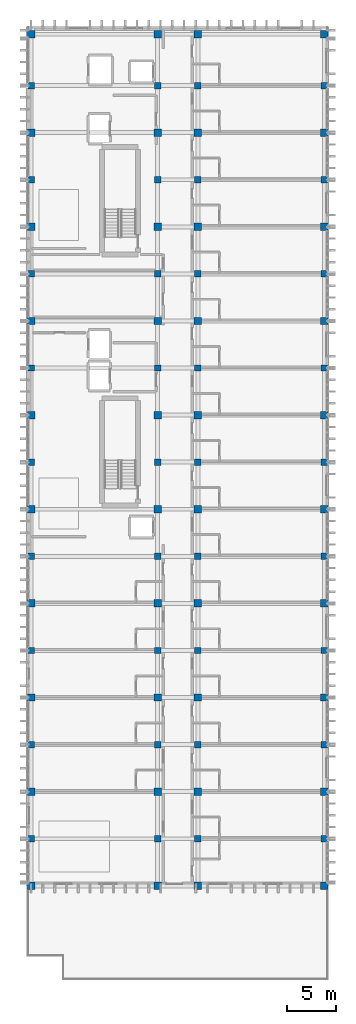
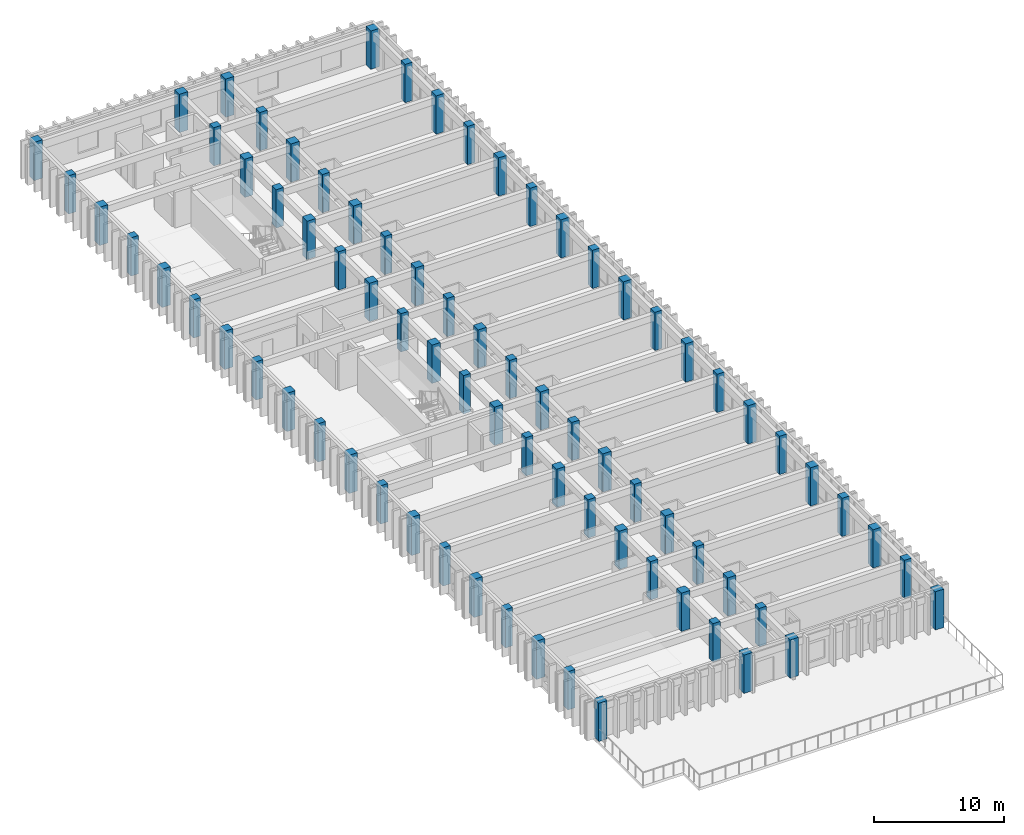
# One storey, part 1 of 64: 76 columns.
"""IFC4 building model written with IfcOpenShell, lengths in metres."""

import ifcopenshell
import ifcopenshell.guid

model = None  # the IFC model being written
_history = None  # IfcOwnerHistory: only IFC2X3 demands one
_inside = {}  # id of a spatial element -> (the spatial element, [elements in it])
_under = {}  # id of a project, library or spatial element -> (it, [spatial elements below it])
_declared = {}  # id of a project -> (the project, [libraries it declares])
_typed = {}  # id of a type object -> (the type object, [elements of that type])
_made_of = {}  # id of a material, layer set ... -> (it, [elements and type objects made of it])


def new_model(schema):
    """Start an empty IFC model of exactly this schema.

    Asked for "IFC4X3", IfcOpenShell would pick the latest addendum, in which some entities
    have other attributes; the version numbers below select the first issue.
    IFC2X3 requires an IfcOwnerHistory on every rooted entity: one is made here for all.
    """
    global model, _history
    if schema == "IFC4X3":
        model = ifcopenshell.file(schema_version=(4, 3, 0, 0))
    else:
        model = ifcopenshell.file(schema=schema)
    _inside.clear()
    _under.clear()
    _declared.clear()
    _typed.clear()
    _made_of.clear()
    _history = None
    if model.schema == "IFC2X3":
        org = make("IfcOrganization", Name="unknown")
        user = make(
            "IfcPersonAndOrganization",
            ThePerson=make("IfcPerson", FamilyName="unknown"),
            TheOrganization=org,
        )
        app = make(
            "IfcApplication",
            ApplicationDeveloper=org,
            Version="unknown",
            ApplicationFullName="unknown",
            ApplicationIdentifier="unknown",
        )
        _history = make(
            "IfcOwnerHistory",
            OwningUser=user,
            OwningApplication=app,
            ChangeAction="ADDED",
            CreationDate=0,
        )
    return model


def make(cls, **values):
    """One entity of the class cls with the attributes given. An attribute that is None is left unset."""
    return model.create_entity(
        cls, **{name: value for name, value in values.items() if value is not None}
    )


def rooted(cls, **values):
    """An entity with a GlobalId (a new one), such as an element, a storey or a relation."""
    return make(cls, GlobalId=ifcopenshell.guid.new(), OwnerHistory=_history, **values)


def si_unit(unit_type, name, prefix=None):
    """IfcSIUnit, for example si_unit("LENGTHUNIT", "METRE", prefix="MILLI")."""
    return make("IfcSIUnit", UnitType=unit_type, Prefix=prefix, Name=name)


def assignment(units):
    """IfcUnitAssignment: the units of a project."""
    return None if units is None else make("IfcUnitAssignment", Units=units)


def point(xyz):
    """IfcCartesianPoint."""
    return None if xyz is None else make("IfcCartesianPoint", Coordinates=xyz)


def direction(xyz):
    """IfcDirection."""
    return None if xyz is None else make("IfcDirection", DirectionRatios=xyz)


def frame(location, z_axis=None, x_axis=None):
    """IfcAxis2Placement3D, a coordinate frame: its origin and axes. An axis left out is left unset."""
    return make(
        "IfcAxis2Placement3D",
        Location=point(location),
        Axis=direction(z_axis),
        RefDirection=direction(x_axis),
    )


def frame_2d(location, x_axis=None):
    """IfcAxis2Placement2D, a coordinate frame in the plane: its origin and x axis."""
    return make(
        "IfcAxis2Placement2D", Location=point(location), RefDirection=direction(x_axis)
    )


def origin():
    """The frame at (0, 0, 0) with its axes left unset."""
    return frame((0.0, 0.0, 0.0))


def origin_2d():
    """The frame at (0, 0) in the plane with its x axis left unset."""
    return frame_2d((0.0, 0.0))


def place(relative_to, where):
    """IfcLocalPlacement: puts the frame where relative to a parent placement (None: the world)."""
    return make(
        "IfcLocalPlacement", PlacementRelTo=relative_to, RelativePlacement=where
    )


def context(
    kind, dimensions, precision=None, world=None, true_north=None, identifier=None
):
    """IfcGeometricRepresentationContext, for example the 3D "Model" context."""
    return make(
        "IfcGeometricRepresentationContext",
        ContextIdentifier=identifier,
        ContextType=kind,
        CoordinateSpaceDimension=dimensions,
        Precision=precision,
        WorldCoordinateSystem=world,
        TrueNorth=true_north,
    )


def subcontext(parent, identifier, kind, view, scale=None):
    """IfcGeometricRepresentationSubContext, for example "Body" below "Model"."""
    return make(
        "IfcGeometricRepresentationSubContext",
        ContextIdentifier=identifier,
        ContextType=kind,
        ParentContext=parent,
        TargetScale=scale,
        TargetView=view,
    )


def project(units=None, contexts=None):
    """IfcProject with its units and contexts."""
    return rooted(
        "IfcProject",
        Name="project",
        RepresentationContexts=contexts,
        UnitsInContext=assignment(units),
    )


def spatial(cls, under=None, at=None, **own):
    """A site, building, storey or space (cls), placed at a placement, below another one or the project."""
    s = rooted(cls, ObjectPlacement=at, **own)
    if under is not None:
        _under.setdefault(under.id(), (under, []))[1].append(s)
    return s


def profile(cls, at=None, kind="AREA", **sizes):
    """A parametric profile (cls). Its sizes go by their IFC names, for example OverallWidth=200.0."""
    return make(cls, ProfileType=kind, Position=at, **sizes)


def rectangle(**sizes):
    """IfcRectangleProfileDef."""
    return profile("IfcRectangleProfileDef", **sizes)


def extrude(swept, where, along, depth):
    """IfcExtrudedAreaSolid: the profile swept, set in the frame where, extruded along a direction by depth."""
    return make(
        "IfcExtrudedAreaSolid",
        SweptArea=swept,
        Position=where,
        ExtrudedDirection=direction(along),
        Depth=depth,
    )


def shape(context_of_items, identifier, shape_type, items):
    """IfcShapeRepresentation: the items that make up one representation, for example the "Body"."""
    return make(
        "IfcShapeRepresentation",
        ContextOfItems=context_of_items,
        RepresentationIdentifier=identifier,
        RepresentationType=shape_type,
        Items=items,
    )


def material(Name=None, Category=None):
    """IfcMaterial."""
    return make("IfcMaterial", Name=Name, Category=Category)


def material_profile(
    of_material, cross_section, Name=None, Category=None, Priority=None
):
    """IfcMaterialProfile: a cross section and its material."""
    return make(
        "IfcMaterialProfile",
        Name=Name,
        Material=of_material,
        Profile=cross_section,
        Priority=Priority,
        Category=Category,
    )


def profile_set(profiles, Name=None, composite=None):
    """IfcMaterialProfileSet."""
    return make(
        "IfcMaterialProfileSet",
        Name=Name,
        MaterialProfiles=profiles,
        CompositeProfile=composite,
    )


def made_of(thing, what):
    """Note that an element or type object is made of a material, layer set ...; save() writes the relation."""
    if what is not None:
        _made_of.setdefault(what.id(), (what, []))[1].append(thing)
    return thing


def type_object(cls, material=None, **own):
    """A type object (cls), such as IfcWallType, which elements share."""
    return made_of(rooted(cls, **own), material)


def element(
    cls,
    number,
    at=None,
    inside=None,
    cuts=None,
    type_object=None,
    material=None,
    context=None,
    identifier="Body",
    shape_type=None,
    held_by="IfcProductDefinitionShape",
    body=None,
    shapes=None,
    **own,
):
    """One element of the class cls, such as IfcWall. Its Tag is "e" and its number.

    at: its placement. inside: the storey or other place that contains it. cuts: it is an
    opening in that element (IfcRelVoidsElement). A single representation is given by context,
    identifier, shape_type and body (its items); several are given by shapes. held_by: the class
    of the entity that holds the representations. save() writes the other relations.
    """
    e = rooted(cls, Tag="e%d" % number, ObjectPlacement=at, **own)
    if body is not None:
        shapes = [shape(context, identifier, shape_type, body)]
    if shapes is not None:
        e.Representation = make(held_by, Representations=shapes)
    if inside is not None:
        _inside.setdefault(inside.id(), (inside, []))[1].append(e)
    if cuts is not None:
        rooted(
            "IfcRelVoidsElement", RelatingBuildingElement=cuts, RelatedOpeningElement=e
        )
    if type_object is not None:
        _typed.setdefault(type_object.id(), (type_object, []))[1].append(e)
    return made_of(e, material)


def aggregate(whole, parts):
    """IfcRelAggregates: a whole, such as a stair, and the parts it consists of."""
    return rooted("IfcRelAggregates", RelatingObject=whole, RelatedObjects=parts)


def save(model, path):
    """Write the relations noted so far, then the file.

    IfcRelAggregates (storeys below a building ...), IfcRelContainedInSpatialStructure (elements
    in a storey), IfcRelDefinesByType, IfcRelAssociatesMaterial and IfcRelDeclares: one each for
    every whole, place, type object, material and project.
    """
    for whole, parts in _under.values():
        aggregate(whole, parts)
    for where, things in _inside.values():
        rooted(
            "IfcRelContainedInSpatialStructure",
            RelatedElements=things,
            RelatingStructure=where,
        )
    for kind, things in _typed.values():
        rooted("IfcRelDefinesByType", RelatedObjects=things, RelatingType=kind)
    for what, things in _made_of.values():
        rooted("IfcRelAssociatesMaterial", RelatedObjects=things, RelatingMaterial=what)
    for by, libraries in _declared.values():
        rooted("IfcRelDeclares", RelatingContext=by, RelatedDefinitions=libraries)
    model.write(path)


model = new_model("IFC4")

# Units and contexts
model_context = context("Model", 3, precision=1e-05, world=origin(), true_north=direction((0.0, 1.0)))
body_context = subcontext(model_context, "Body", "Model", "MODEL_VIEW")
ifc_project = project(units=[si_unit("LENGTHUNIT", "METRE"), si_unit("AREAUNIT", "SQUARE_METRE"), si_unit("VOLUMEUNIT", "CUBIC_METRE"), si_unit("PLANEANGLEUNIT", "RADIAN"), si_unit("MASSUNIT", "GRAM", prefix="KILO")], contexts=[model_context])

# Site, building, storey
site_placement = place(None, origin())
site = spatial("IfcSite", under=ifc_project, at=site_placement, CompositionType="ELEMENT")
building_placement = place(site_placement, origin())
building = spatial("IfcBuilding", under=site, at=building_placement, Name="Nakhvara Creek Congress Hotel", CompositionType="ELEMENT")
storey_placement = place(building_placement, frame((0.0, 0.0, 28.199951171875)))
storey = spatial("IfcBuildingStorey", under=building, at=storey_placement, Name="L06", CompositionType="ELEMENT", Elevation=28.199951171875)

# Columns
ifc_material = material(Name="Concrete C50/60", Category="concrete")
ifc_material_profile_1 = material_profile(ifc_material, rectangle(XDim=0.64990234375, YDim=0.64990234375, at=origin_2d()), Name="RC-COL 650x650", Category="LoadBearing")
ifc_profile_set_1 = profile_set([ifc_material_profile_1], Name="Concrete C50/60")
column_type_1 = type_object("IfcColumnType", Name="COL-RC-650", PredefinedType="COLUMN", material=ifc_profile_set_1)
for number, where, z_axis, x_axis, name in (
    (1, (149.449951171875, 43.199951171875, 0.0), (0.0, 0.0, 1.0), (1.0, 0.0, 0.0), "Column C07-L06-1591"),
    (2, (149.449951171875, 52.800048828125, 0.0), (0.0, 0.0, 1.0), (1.0, 0.0, 0.0), "Column C07-L06-1592"),
    (3, (149.449951171875, 62.39990234375, 0.0), (0.0, 0.0, 1.0), (1.0, 0.0, 0.0), "Column C07-L06-1593"),
    (4, (149.449951171875, 72.0, 0.0), (0.0, 0.0, 1.0), (1.0, 0.0, 0.0), "Column C07-L06-1594"),
    (5, (149.449951171875, 81.60009765625, 0.0), (0.0, 0.0, 1.0), (1.0, 0.0, 0.0), "Column C07-L06-1595"),
    (6, (149.449951171875, 91.199951171875, 0.0), (0.0, 0.0, 1.0), (1.0, 0.0, 0.0), "Column C07-L06-1596"),
    (7, (149.449951171875, 100.800048828125, 0.0), (0.0, 0.0, 1.0), (1.0, 0.0, 0.0), "Column C07-L06-1597"),
    (8, (149.449951171875, 110.39990234375, 0.0), (0.0, 0.0, 1.0), (1.0, 0.0, 0.0), "Column C07-L06-1598"),
    (9, (149.449951171875, 120.0, 0.0), (0.0, 0.0, 1.0), (1.0, 0.0, 0.0), "Column C07-L06-1599"),
    (10, (162.35009765625, 43.199951171875, 0.0), (0.0, 0.0, 1.0), (1.0, 0.0, 0.0), "Column C07-L06-1600"),
    (11, (162.35009765625, 52.800048828125, 0.0), (0.0, 0.0, 1.0), (1.0, 0.0, 0.0), "Column C07-L06-1601"),
    (12, (162.35009765625, 62.39990234375, 0.0), (0.0, 0.0, 1.0), (1.0, 0.0, 0.0), "Column C07-L06-1602"),
    (13, (162.35009765625, 72.0, 0.0), (0.0, 0.0, 1.0), (1.0, 0.0, 0.0), "Column C07-L06-1603"),
    (14, (162.35009765625, 81.60009765625, 0.0), (0.0, 0.0, 1.0), (1.0, 0.0, 0.0), "Column C07-L06-1604"),
    (15, (162.35009765625, 91.199951171875, 0.0), (0.0, 0.0, 1.0), (1.0, 0.0, 0.0), "Column C07-L06-1605"),
    (16, (162.35009765625, 100.800048828125, 0.0), (0.0, 0.0, 1.0), (1.0, 0.0, 0.0), "Column C07-L06-1606"),
    (17, (162.35009765625, 110.39990234375, 0.0), (0.0, 0.0, 1.0), (1.0, 0.0, 0.0), "Column C07-L06-1607"),
    (18, (162.35009765625, 120.0, 0.0), (0.0, 0.0, 1.0), (1.0, 0.0, 0.0), "Column C07-L06-1608"),
    (19, (166.449951171875, 43.199951171875, 0.0), (0.0, 0.0, 1.0), (1.0, 0.0, 0.0), "Column C07-L06-1609"),
    (20, (166.449951171875, 52.800048828125, 0.0), (0.0, 0.0, 1.0), (1.0, 0.0, 0.0), "Column C07-L06-1610"),
    (21, (166.449951171875, 62.39990234375, 0.0), (0.0, 0.0, 1.0), (1.0, 0.0, 0.0), "Column C07-L06-1611"),
    (22, (166.449951171875, 72.0, 0.0), (0.0, 0.0, 1.0), (1.0, 0.0, 0.0), "Column C07-L06-1612"),
    (23, (166.449951171875, 81.60009765625, 0.0), (0.0, 0.0, 1.0), (1.0, 0.0, 0.0), "Column C07-L06-1613"),
    (24, (166.449951171875, 91.199951171875, 0.0), (0.0, 0.0, 1.0), (1.0, 0.0, 0.0), "Column C07-L06-1614"),
    (25, (166.449951171875, 100.800048828125, 0.0), (0.0, 0.0, 1.0), (1.0, 0.0, 0.0), "Column C07-L06-1615"),
    (26, (166.449951171875, 110.39990234375, 0.0), (0.0, 0.0, 1.0), (1.0, 0.0, 0.0), "Column C07-L06-1616"),
    (27, (166.449951171875, 120.0, 0.0), (0.0, 0.0, 1.0), (1.0, 0.0, 0.0), "Column C07-L06-1617"),
    (28, (179.35009765625, 43.199951171875, 0.0), (0.0, 0.0, 1.0), (1.0, 0.0, 0.0), "Column C07-L06-1618"),
    (29, (179.35009765625, 52.800048828125, 0.0), (0.0, 0.0, 1.0), (1.0, 0.0, 0.0), "Column C07-L06-1619"),
    (30, (179.35009765625, 62.39990234375, 0.0), (0.0, 0.0, 1.0), (1.0, 0.0, 0.0), "Column C07-L06-1620"),
    (31, (179.35009765625, 72.0, 0.0), (0.0, 0.0, 1.0), (1.0, 0.0, 0.0), "Column C07-L06-1621"),
    (32, (179.35009765625, 81.60009765625, 0.0), (0.0, 0.0, 1.0), (1.0, 0.0, 0.0), "Column C07-L06-1622"),
    (33, (179.35009765625, 91.199951171875, 0.0), (0.0, 0.0, 1.0), (1.0, 0.0, 0.0), "Column C07-L06-1623"),
    (34, (179.35009765625, 100.800048828125, 0.0), (0.0, 0.0, 1.0), (1.0, 0.0, 0.0), "Column C07-L06-1624"),
    (35, (179.35009765625, 110.39990234375, 0.0), (0.0, 0.0, 1.0), (1.0, 0.0, 0.0), "Column C07-L06-1625"),
    (36, (179.35009765625, 120.0, 0.0), (0.0, 0.0, 1.0), (1.0, 0.0, 0.0), "Column C07-L06-1626"),
):
    element("IfcColumn", number, at=place(storey_placement, frame(where, z_axis=z_axis, x_axis=x_axis)), inside=storey, type_object=column_type_1, Name=name, PredefinedType="COLUMN", context=body_context, shape_type="SweptSolid", body=[
        extrude(rectangle(XDim=0.64990234375, YDim=0.64990234375, at=origin_2d()), origin(), (0.0, 0.0, 1.0), 3.60009765625),
    ])
ifc_material_profile_2 = material_profile(ifc_material, rectangle(XDim=0.75, YDim=0.75, at=origin_2d()), Name="RC-COL 750x750", Category="LoadBearing")
ifc_profile_set_2 = profile_set([ifc_material_profile_2], Name="Concrete C50/60")
column_type_2 = type_object("IfcColumnType", Name="COL-RC-750", PredefinedType="COLUMN", material=ifc_profile_set_2)
for number, where, z_axis, x_axis, name in (
    (37, (149.449951171875, 38.39990234375, 0.0), (0.0, 0.0, 1.0), (1.0, 0.0, 0.0), "Column C05-L06-1551"),
    (38, (149.449951171875, 48.0, 0.0), (0.0, 0.0, 1.0), (1.0, 0.0, 0.0), "Column C05-L06-1552"),
    (39, (149.449951171875, 57.60009765625, 0.0), (0.0, 0.0, 1.0), (1.0, 0.0, 0.0), "Column C05-L06-1553"),
    (40, (149.449951171875, 67.199951171875, 0.0), (0.0, 0.0, 1.0), (1.0, 0.0, 0.0), "Column C05-L06-1554"),
    (41, (149.449951171875, 76.800048828125, 0.0), (0.0, 0.0, 1.0), (1.0, 0.0, 0.0), "Column C05-L06-1555"),
    (42, (149.449951171875, 86.39990234375, 0.0), (0.0, 0.0, 1.0), (1.0, 0.0, 0.0), "Column C05-L06-1556"),
    (43, (149.449951171875, 96.0, 0.0), (0.0, 0.0, 1.0), (1.0, 0.0, 0.0), "Column C05-L06-1557"),
    (44, (149.449951171875, 105.60009765625, 0.0), (0.0, 0.0, 1.0), (1.0, 0.0, 0.0), "Column C05-L06-1558"),
    (45, (149.449951171875, 115.199951171875, 0.0), (0.0, 0.0, 1.0), (1.0, 0.0, 0.0), "Column C05-L06-1559"),
    (46, (149.449951171875, 125.25, 0.0), (0.0, 0.0, 1.0), (1.0, 0.0, 0.0), "Column C05-L06-1560"),
    (47, (162.35009765625, 38.39990234375, 0.0), (0.0, 0.0, 1.0), (1.0, 0.0, 0.0), "Column C05-L06-1561"),
    (48, (162.35009765625, 48.0, 0.0), (0.0, 0.0, 1.0), (1.0, 0.0, 0.0), "Column C05-L06-1562"),
    (49, (162.35009765625, 57.60009765625, 0.0), (0.0, 0.0, 1.0), (1.0, 0.0, 0.0), "Column C05-L06-1563"),
    (50, (162.35009765625, 67.199951171875, 0.0), (0.0, 0.0, 1.0), (1.0, 0.0, 0.0), "Column C05-L06-1564"),
    (51, (162.35009765625, 76.800048828125, 0.0), (0.0, 0.0, 1.0), (1.0, 0.0, 0.0), "Column C05-L06-1565"),
    (52, (162.35009765625, 86.39990234375, 0.0), (0.0, 0.0, 1.0), (1.0, 0.0, 0.0), "Column C05-L06-1566"),
    (53, (162.35009765625, 96.0, 0.0), (0.0, 0.0, 1.0), (1.0, 0.0, 0.0), "Column C05-L06-1567"),
    (54, (162.35009765625, 105.60009765625, 0.0), (0.0, 0.0, 1.0), (1.0, 0.0, 0.0), "Column C05-L06-1568"),
    (55, (162.35009765625, 115.199951171875, 0.0), (0.0, 0.0, 1.0), (1.0, 0.0, 0.0), "Column C05-L06-1569"),
    (56, (162.35009765625, 125.25, 0.0), (0.0, 0.0, 1.0), (1.0, 0.0, 0.0), "Column C05-L06-1570"),
    (57, (166.449951171875, 38.39990234375, 0.0), (0.0, 0.0, 1.0), (1.0, 0.0, 0.0), "Column C05-L06-1571"),
    (58, (166.449951171875, 48.0, 0.0), (0.0, 0.0, 1.0), (1.0, 0.0, 0.0), "Column C05-L06-1572"),
    (59, (166.449951171875, 57.60009765625, 0.0), (0.0, 0.0, 1.0), (1.0, 0.0, 0.0), "Column C05-L06-1573"),
    (60, (166.449951171875, 67.199951171875, 0.0), (0.0, 0.0, 1.0), (1.0, 0.0, 0.0), "Column C05-L06-1574"),
    (61, (166.449951171875, 76.800048828125, 0.0), (0.0, 0.0, 1.0), (1.0, 0.0, 0.0), "Column C05-L06-1575"),
    (62, (166.449951171875, 86.39990234375, 0.0), (0.0, 0.0, 1.0), (1.0, 0.0, 0.0), "Column C05-L06-1576"),
    (63, (166.449951171875, 96.0, 0.0), (0.0, 0.0, 1.0), (1.0, 0.0, 0.0), "Column C05-L06-1577"),
    (64, (166.449951171875, 105.60009765625, 0.0), (0.0, 0.0, 1.0), (1.0, 0.0, 0.0), "Column C05-L06-1578"),
    (65, (166.449951171875, 115.199951171875, 0.0), (0.0, 0.0, 1.0), (1.0, 0.0, 0.0), "Column C05-L06-1579"),
    (66, (166.449951171875, 125.25, 0.0), (0.0, 0.0, 1.0), (1.0, 0.0, 0.0), "Column C05-L06-1580"),
    (67, (179.35009765625, 38.39990234375, 0.0), (0.0, 0.0, 1.0), (1.0, 0.0, 0.0), "Column C05-L06-1581"),
    (68, (179.35009765625, 48.0, 0.0), (0.0, 0.0, 1.0), (1.0, 0.0, 0.0), "Column C05-L06-1582"),
    (69, (179.35009765625, 57.60009765625, 0.0), (0.0, 0.0, 1.0), (1.0, 0.0, 0.0), "Column C05-L06-1583"),
    (70, (179.35009765625, 67.199951171875, 0.0), (0.0, 0.0, 1.0), (1.0, 0.0, 0.0), "Column C05-L06-1584"),
    (71, (179.35009765625, 76.800048828125, 0.0), (0.0, 0.0, 1.0), (1.0, 0.0, 0.0), "Column C05-L06-1585"),
    (72, (179.35009765625, 86.39990234375, 0.0), (0.0, 0.0, 1.0), (1.0, 0.0, 0.0), "Column C05-L06-1586"),
    (73, (179.35009765625, 96.0, 0.0), (0.0, 0.0, 1.0), (1.0, 0.0, 0.0), "Column C05-L06-1587"),
    (74, (179.35009765625, 105.60009765625, 0.0), (0.0, 0.0, 1.0), (1.0, 0.0, 0.0), "Column C05-L06-1588"),
    (75, (179.35009765625, 115.199951171875, 0.0), (0.0, 0.0, 1.0), (1.0, 0.0, 0.0), "Column C05-L06-1589"),
    (76, (179.35009765625, 125.25, 0.0), (0.0, 0.0, 1.0), (1.0, 0.0, 0.0), "Column C05-L06-1590"),
):
    element("IfcColumn", number, at=place(storey_placement, frame(where, z_axis=z_axis, x_axis=x_axis)), inside=storey, type_object=column_type_2, Name=name, PredefinedType="COLUMN", context=body_context, shape_type="SweptSolid", body=[
        extrude(rectangle(XDim=0.75, YDim=0.75, at=origin_2d()), origin(), (0.0, 0.0, 1.0), 3.60009765625),
    ])

save(model, "model.ifc")
